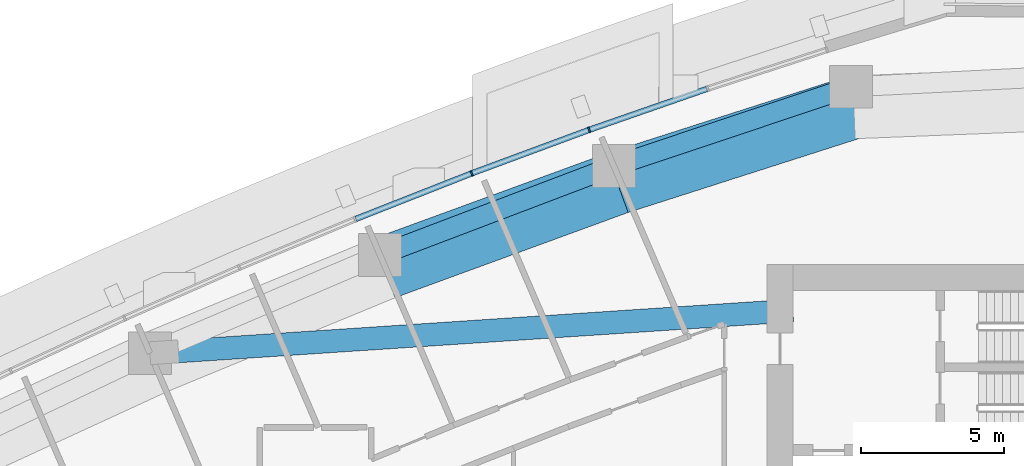
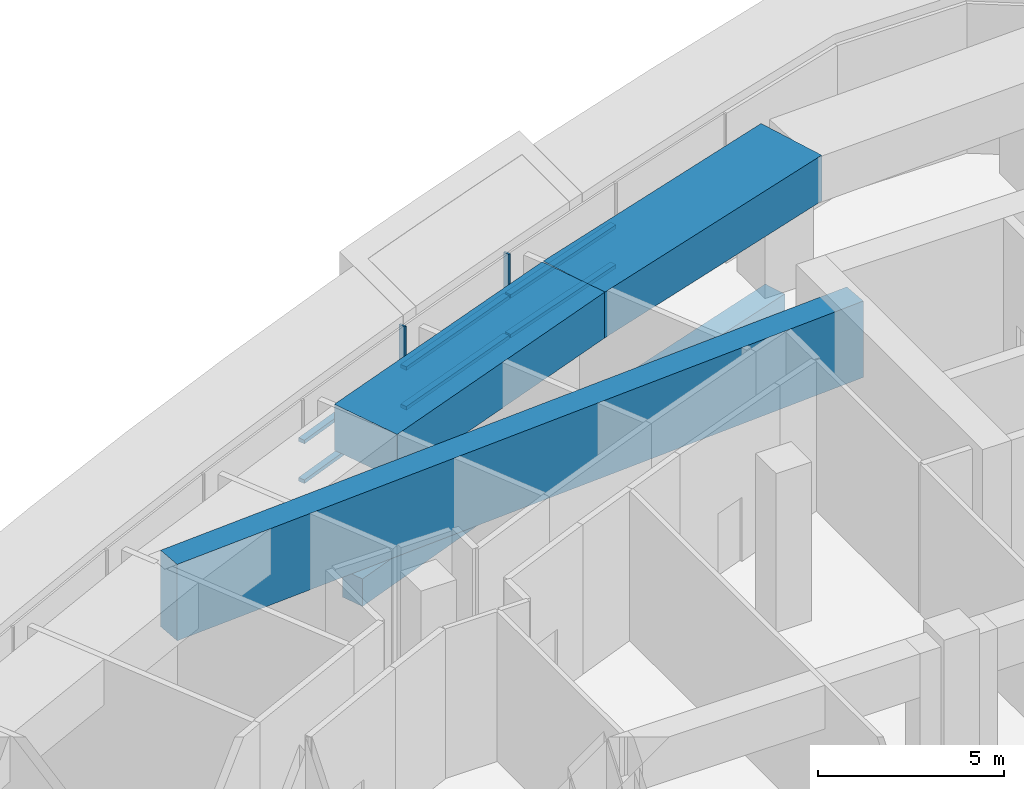
# One storey, part 7 of 18: 8 members, 5 beams, 2 elements without a shape of their own.
"""IFC4 building model written with IfcOpenShell, lengths in metres."""

from ifc_helpers import new_model, si_unit, direction, frame, origin, origin_2d, place, context, subcontext, project, spatial, rectangle, extrude, material, layer, layer_set, material_profile, profile_set, type_object, element, aggregate, save


model = new_model("IFC4")

# Units and contexts
model_context = context("Model", 3, precision=1e-05, world=origin(), true_north=direction((0.0, 1.0)))
body_context = subcontext(model_context, "Body", "Model", "MODEL_VIEW")
ifc_project = project(units=[si_unit("LENGTHUNIT", "METRE"), si_unit("AREAUNIT", "SQUARE_METRE"), si_unit("VOLUMEUNIT", "CUBIC_METRE"), si_unit("PLANEANGLEUNIT", "RADIAN"), si_unit("MASSUNIT", "GRAM", prefix="KILO")], contexts=[model_context])

# Site, building, storey
site_placement = place(None, origin())
site = spatial("IfcSite", under=ifc_project, at=site_placement, CompositionType="ELEMENT")
building_placement = place(site_placement, origin())
building = spatial("IfcBuilding", under=site, at=building_placement, Name="Ostrand Prow Hotel Tower", CompositionType="ELEMENT")
storey_placement = place(building_placement, frame((0.0, 0.0, 165.699951171875)))
storey = spatial("IfcBuildingStorey", under=building, at=storey_placement, Name="L41", CompositionType="ELEMENT", Elevation=165.699951171875)

# Beams
ifc_material_1 = material(Name="Concrete C70/85", Category="concrete")
ifc_material_profile_1 = material_profile(ifc_material_1, rectangle(XDim=2.199951171875, YDim=1.5, at=origin_2d()), Name="RC 2200x1500")
ifc_profile_set_1 = profile_set([ifc_material_profile_1], Name="Concrete C70/85")
beam_type_1 = type_object("IfcBeamType", Name="Belt girder 2200x1500 C70/85", PredefinedType="BEAM", material=ifc_profile_set_1)
beam_1_placement = place(storey_placement, frame((52.83349609375, 22.153564453125, 4.150146484375), z_axis=(-0.952363104958, -0.304966418341, 0.0), x_axis=(0.304966418341, -0.952363104958, 0.0)))
element("IfcBeam", 1, at=beam_1_placement, inside=storey, type_object=beam_type_1, Name="Belt girder N1-N2", PredefinedType="BEAM", context=body_context, shape_type="SweptSolid", body=[
    extrude(rectangle(XDim=2.199951171875, YDim=1.5, at=origin_2d()), origin(), (0.0, 0.0, 1.0), 8.686767578125),
])
beam_2_placement = place(storey_placement, frame((44.560546875, 19.50439453125, 4.150146484375), z_axis=(-0.939230075699, -0.34328831163, 0.0), x_axis=(0.34328831163, -0.939230075699, 0.0)))
element("IfcBeam", 2, at=beam_2_placement, inside=storey, type_object=beam_type_1, Name="Belt girder N2-N3", PredefinedType="BEAM", context=body_context, shape_type="SweptSolid", body=[
    extrude(rectangle(XDim=2.199951171875, YDim=1.5, at=origin_2d()), origin(), (0.0, 0.0, 1.0), 8.68701171875),
])
ifc_material_2 = material(Name="Concrete C70/85", Category="concrete")
ifc_material_profile_2 = material_profile(ifc_material_2, rectangle(XDim=0.699951171875, YDim=0.89990234375, at=origin_2d()), Name="RC 700x900")
ifc_profile_set_2 = profile_set([ifc_material_profile_2], Name="Concrete C70/85")
beam_type_2 = type_object("IfcBeamType", Name="Edge beam 700x900 C70/85", PredefinedType="SPANDREL", material=ifc_profile_set_2)
for number, where, z_axis, x_axis, name in (
    (3, (52.73974609375, 22.869140625, -0.849853515625), (-0.948376051094, -0.317148018616, 0.0), (0.317148018616, -0.948376051094, 0.0), "Edge beam N1-N2"),
    (4, (44.438232421875, 20.093017578125, -0.849853515625), (-0.93479358236, -0.355191439055, 0.0), (0.355191439055, -0.93479358236, 0.0), "Edge beam N2-N3"),
):
    element("IfcBeam", number, at=place(storey_placement, frame(where, z_axis=z_axis, x_axis=x_axis)), inside=storey, type_object=beam_type_2, Name=name, PredefinedType="SPANDREL", context=body_context, shape_type="SweptSolid", body=[
        extrude(rectangle(XDim=0.699951171875, YDim=0.89990234375, at=origin_2d()), origin(), (0.0, 0.0, 1.0), 8.75341796875),
    ])

# Curtain wall, member
ifc_material_3 = material(Name="Insulated glass in bronze anodised frame", Category="glass")
ifc_layer = layer(ifc_material_3, 0.199951171875)
ifc_layer_set = layer_set([ifc_layer], Name="Insulated glass in bronze anodised frame")
curtain_wall_type = type_object("IfcCurtainWallType", Name="Plant storey louvre wall", PredefinedType="NOTDEFINED", material=ifc_layer_set)
curtain_wall_1_placement = place(storey_placement, origin())
curtain_wall_1 = element("IfcCurtainWall", 5, at=curtain_wall_1_placement, inside=storey, type_object=curtain_wall_type, Name="CW7 run CWN1", PredefinedType="NOTDEFINED")
ifc_material_4 = material(Name="Bronze anodised aluminium", Category="aluminium")
ifc_material_profile_3 = material_profile(ifc_material_4, rectangle(XDim=0.199951171875, YDim=0.06005859375, at=origin_2d()), Name="Mullion 60x200 bronze anodised aluminium")
ifc_profile_set_3 = profile_set([ifc_material_profile_3], Name="Bronze anodised aluminium")
member_type_1 = type_object("IfcMemberType", Name="Mullion 60x200 bronze anodised aluminium", PredefinedType="MULLION", material=ifc_profile_set_3)
member_1_placement = place(storey_placement, frame((43.5751953125, 21.3642578125, 0.900146484375), z_axis=(0.0, 0.0, 1.0), x_axis=(0.328428177424, -0.944528947293, 0.0)))
member_1 = element("IfcMember", 6, at=member_1_placement, type_object=member_type_1, Name="CW7 mullion 3", PredefinedType="MULLION", context=body_context, shape_type="SweptSolid", body=[
    extrude(rectangle(XDim=0.199951171875, YDim=0.06005859375, at=origin_2d()), origin(), (0.0, 0.0, 1.0), 4.0),
])

curtain_wall_2_placement = place(storey_placement, origin())
curtain_wall_2 = element("IfcCurtainWall", 7, at=curtain_wall_2_placement, inside=storey, type_object=curtain_wall_type, Name="CW7 run CWN2", PredefinedType="NOTDEFINED")
member_2_placement = place(storey_placement, frame((39.462158203125, 19.8408203125, 0.900146484375), z_axis=(0.0, 0.0, 1.0), x_axis=(0.366116334636, -0.930569089059, 0.0)))
member_2 = element("IfcMember", 8, at=member_2_placement, type_object=member_type_1, Name="CW7 mullion 2", PredefinedType="MULLION", context=body_context, shape_type="SweptSolid", body=[
    extrude(rectangle(XDim=0.199951171875, YDim=0.06005859375, at=origin_2d()), origin(), (0.0, 0.0, 1.0), 4.0),
])

# Beam
ifc_material_5 = material(Name="Concrete C70/85", Category="concrete")
ifc_material_profile_4 = material_profile(ifc_material_5, rectangle(XDim=0.800048828125, YDim=2.5, at=origin_2d()), Name="RC 800x2500")
ifc_profile_set_4 = profile_set([ifc_material_profile_4], Name="Concrete C70/85")
beam_type_3 = type_object("IfcBeamType", Name="Outrigger lintel 800x2500 C70/85", PredefinedType="LINTEL", material=ifc_profile_set_4)
beam_3_placement = place(storey_placement, frame((50.69873046875, 15.039794921875, 3.650146484375), z_axis=(-0.997805066361, -0.066219706611, 0.0), x_axis=(0.066219706611, -0.997805066361, 0.0)))
element("IfcBeam", 9, at=beam_3_placement, inside=storey, type_object=beam_type_3, Name="Outrigger lintel DN1", PredefinedType="LINTEL", context=body_context, shape_type="SweptSolid", body=[
    extrude(rectangle(XDim=0.800048828125, YDim=2.5, at=origin_2d()), origin(), (0.0, 0.0, 1.0), 22.14306640625),
])

# Member
ifc_material_6 = material(Name="Bronze anodised aluminium", Category="aluminium")
ifc_material_profile_5 = material_profile(ifc_material_6, rectangle(XDim=0.199951171875, YDim=0.1201171875, at=origin_2d()), Name="Transom 120x200 bronze anodised aluminium")
ifc_profile_set_5 = profile_set([ifc_material_profile_5], Name="Bronze anodised aluminium")
member_type_2 = type_object("IfcMemberType", Name="Transom 120x200 bronze anodised aluminium", PredefinedType="USERDEFINED", material=ifc_profile_set_5)
member_3_placement = place(storey_placement, frame((47.689697265625, 22.794921875, 2.199951171875), z_axis=(-0.944524201162, -0.328441826538, 0.0), x_axis=(0.328441826538, -0.944524201162, 0.0)))
member_3 = element("IfcMember", 10, at=member_3_placement, type_object=member_type_2, Name="CW7 transom 2.1", ObjectType="TRANSOM", PredefinedType="USERDEFINED", context=body_context, shape_type="SweptSolid", body=[
    extrude(rectangle(XDim=0.199951171875, YDim=0.1201171875, at=origin_2d()), origin(), (0.0, 0.0, 1.0), 4.326171875),
])

member_4_placement = place(storey_placement, frame((47.689697265625, 22.794921875, 3.5), z_axis=(-0.944524201162, -0.328441826538, 0.0), x_axis=(0.328441826538, -0.944524201162, 0.0)))
member_4 = element("IfcMember", 11, at=member_4_placement, type_object=member_type_2, Name="CW7 transom 2.2", ObjectType="TRANSOM", PredefinedType="USERDEFINED", context=body_context, shape_type="SweptSolid", body=[
    extrude(rectangle(XDim=0.199951171875, YDim=0.1201171875, at=origin_2d()), origin(), (0.0, 0.0, 1.0), 4.326171875),
])

aggregate(curtain_wall_1, [member_1, member_3, member_4])

member_5_placement = place(storey_placement, frame((43.547119140625, 21.353759765625, 2.199951171875), z_axis=(-0.937756929379, -0.347292299657, 0.0), x_axis=(0.347292299657, -0.937756929379, 0.0)))
member_5 = element("IfcMember", 12, at=member_5_placement, type_object=member_type_2, Name="CW7 transom 1.1", ObjectType="TRANSOM", PredefinedType="USERDEFINED", context=body_context, shape_type="SweptSolid", body=[
    extrude(rectangle(XDim=0.199951171875, YDim=0.1201171875, at=origin_2d()), origin(), (0.0, 0.0, 1.0), 4.326171875),
])

member_6_placement = place(storey_placement, frame((43.547119140625, 21.353759765625, 3.5), z_axis=(-0.937756929379, -0.347292299657, 0.0), x_axis=(0.347292299657, -0.937756929379, 0.0)))
member_6 = element("IfcMember", 13, at=member_6_placement, type_object=member_type_2, Name="CW7 transom 1.2", ObjectType="TRANSOM", PredefinedType="USERDEFINED", context=body_context, shape_type="SweptSolid", body=[
    extrude(rectangle(XDim=0.199951171875, YDim=0.1201171875, at=origin_2d()), origin(), (0.0, 0.0, 1.0), 4.326171875),
])

member_7_placement = place(storey_placement, frame((39.434326171875, 19.829833984375, 2.199951171875), z_axis=(-0.930563430162, -0.366130717701, 0.0), x_axis=(0.366130717701, -0.930563430162, 0.0)))
member_7 = element("IfcMember", 14, at=member_7_placement, type_object=member_type_2, Name="CW7 transom 2.1", ObjectType="TRANSOM", PredefinedType="USERDEFINED", context=body_context, shape_type="SweptSolid", body=[
    extrude(rectangle(XDim=0.199951171875, YDim=0.1201171875, at=origin_2d()), origin(), (0.0, 0.0, 1.0), 4.326171875),
])

member_8_placement = place(storey_placement, frame((39.434326171875, 19.829833984375, 3.5), z_axis=(-0.930563430162, -0.366130717701, 0.0), x_axis=(0.366130717701, -0.930563430162, 0.0)))
member_8 = element("IfcMember", 15, at=member_8_placement, type_object=member_type_2, Name="CW7 transom 2.2", ObjectType="TRANSOM", PredefinedType="USERDEFINED", context=body_context, shape_type="SweptSolid", body=[
    extrude(rectangle(XDim=0.199951171875, YDim=0.1201171875, at=origin_2d()), origin(), (0.0, 0.0, 1.0), 4.326171875),
])

aggregate(curtain_wall_2, [member_2, member_5, member_6, member_7, member_8])

save(model, "model.ifc")
